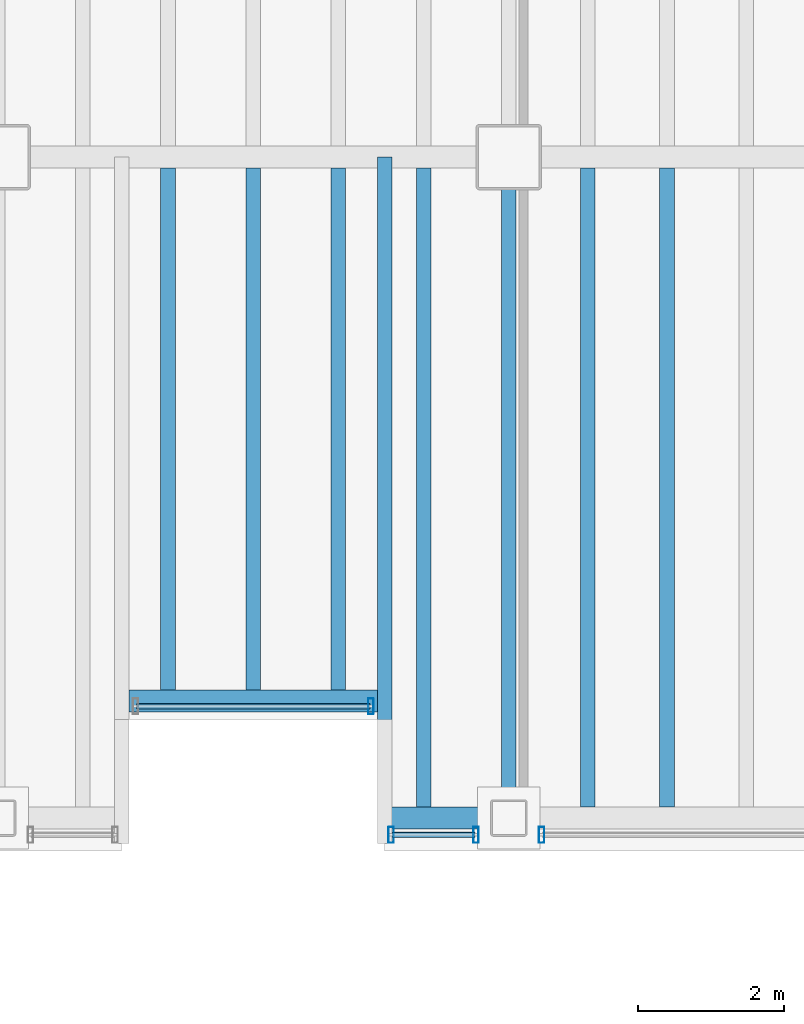
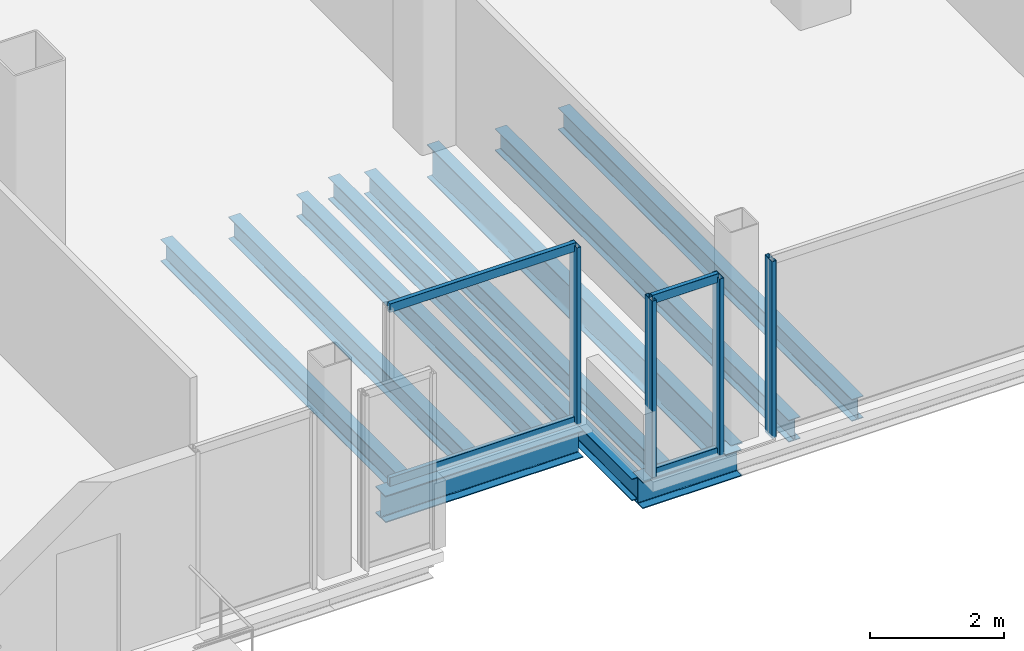
# One storey, part 5 of 20: 10 beams, 8 members, 3 elements without a shape of their own.
"""IFC4 building model written with IfcOpenShell, lengths in metres."""

from ifc_helpers import new_model, si_unit, direction, frame, origin, origin_2d, place, context, subcontext, project, spatial, hollow_rectangle, i_section, extrude, material, material_profile, profile_set, type_object, element, aggregate, save


model = new_model("IFC4")

# Units and contexts
model_context = context("Model", 3, precision=1e-05, world=origin(), true_north=direction((0.0, 1.0)))
body_context = subcontext(model_context, "Body", "Model", "MODEL_VIEW")
ifc_project = project(units=[si_unit("LENGTHUNIT", "METRE"), si_unit("AREAUNIT", "SQUARE_METRE"), si_unit("VOLUMEUNIT", "CUBIC_METRE"), si_unit("PLANEANGLEUNIT", "RADIAN"), si_unit("MASSUNIT", "GRAM", prefix="KILO")], contexts=[model_context])

# Site, building, storey
site_placement = place(None, origin())
site = spatial("IfcSite", under=ifc_project, at=site_placement, CompositionType="ELEMENT")
building_placement = place(site_placement, origin())
building = spatial("IfcBuilding", under=site, at=building_placement, Name="Noeulbin Bourse Tower", CompositionType="ELEMENT")
storey_placement = place(building_placement, frame((0.0, 0.0, 126.60009765625)))
storey = spatial("IfcBuildingStorey", under=building, at=storey_placement, Name="L31", CompositionType="ELEMENT", Elevation=126.60009765625)

# Beams
ifc_material_1 = material(Name="Steel S355", Category="steel")
ifc_material_profile_1 = material_profile(ifc_material_1, i_section(OverallWidth=0.199951171875, OverallDepth=0.60009765625, WebThickness=0.010986328125, FlangeThickness=0.01708984375, FilletRadius=0.02197265625, at=origin_2d()), Name="H-600x200x11x17", Category="LoadBearing")
ifc_profile_set_1 = profile_set([ifc_material_profile_1], Name="Steel S355")
beam_type_1 = type_object("IfcBeamType", Name="BM-GRD-600", PredefinedType="USERDEFINED", material=ifc_profile_set_1)
beam_1_placement = place(storey_placement, frame((31.0, 10.949951171875, -0.47998046875), z_axis=(0.0, 1.0, 0.0), x_axis=(-1.0, 0.0, 0.0)))
element("IfcBeam", 1, at=beam_1_placement, inside=storey, type_object=beam_type_1, Name="Tower Primary Girder NS L31-3.1", ObjectType="GIRDER", PredefinedType="USERDEFINED", context=body_context, shape_type="SweptSolid", body=[
    extrude(i_section(OverallWidth=0.199951171875, OverallDepth=0.60009765625, WebThickness=0.010986328125, FlangeThickness=0.01708984375, FilletRadius=0.02197265625, at=origin_2d()), origin(), (0.0, 0.0, 1.0), 9.050048828125),
])
ifc_material_profile_2 = material_profile(ifc_material_1, i_section(OverallWidth=0.199951171875, OverallDepth=0.39990234375, WebThickness=0.008056640625, FlangeThickness=0.012939453125, FilletRadius=0.01611328125, at=origin_2d()), Name="H-400x200x8x13", Category="LoadBearing")
ifc_profile_set_2 = profile_set([ifc_material_profile_2], Name="Steel S355")
beam_type_2 = type_object("IfcBeamType", Name="BM-SEC-400", PredefinedType="BEAM", material=ifc_profile_set_2)
beam_2_placement = place(storey_placement, frame((29.300048828125, 10.949951171875, -0.380126953125), z_axis=(0.0, 1.0, 0.0), x_axis=(-1.0, 0.0, 0.0)))
element("IfcBeam", 2, at=beam_2_placement, inside=storey, type_object=beam_type_2, Name="BM-L31-SRT-E", PredefinedType="BEAM", context=body_context, shape_type="SweptSolid", body=[
    extrude(i_section(OverallWidth=0.199951171875, OverallDepth=0.39990234375, WebThickness=0.008056640625, FlangeThickness=0.012939453125, FilletRadius=0.01611328125, at=origin_2d()), origin(), (0.0, 0.0, 1.0), 9.050048828125),
])
for number, where, z_axis, x_axis, name in (
    (3, (26.333251953125, 12.699951171875, -0.380126953125), (0.0, 1.0, 0.0), (-1.0, 0.0, 0.0), "Tower Composite Joist L31-19"),
    (4, (27.5, 12.699951171875, -0.380126953125), (0.0, 1.0, 0.0), (-1.0, 0.0, 0.0), "Tower Composite Joist L31-21"),
    (5, (28.666748046875, 12.699951171875, -0.380126953125), (0.0, 1.0, 0.0), (-1.0, 0.0, 0.0), "Tower Composite Joist L31-23"),
):
    element("IfcBeam", number, at=place(storey_placement, frame(where, z_axis=z_axis, x_axis=x_axis)), inside=storey, type_object=beam_type_2, Name=name, PredefinedType="BEAM", context=body_context, shape_type="SweptSolid", body=[
        extrude(i_section(OverallWidth=0.199951171875, OverallDepth=0.39990234375, WebThickness=0.008056640625, FlangeThickness=0.012939453125, FilletRadius=0.01611328125, at=origin_2d()), origin(), (0.0, 0.0, 1.0), 7.150146484375),
    ])
for number, where, z_axis, x_axis, name in (
    (6, (29.833251953125, 11.10009765625, -0.380126953125), (0.0, 1.0, 0.0), (-1.0, 0.0, 0.0), "Tower Composite Joist L31-25"),
    (7, (32.083251953125, 11.10009765625, -0.380126953125), (0.0, 1.0, 0.0), (-1.0, 0.0, 0.0), "Tower Composite Joist L31-27"),
    (8, (33.166748046875, 11.10009765625, -0.380126953125), (0.0, 1.0, 0.0), (-1.0, 0.0, 0.0), "Tower Composite Joist L31-29"),
):
    element("IfcBeam", number, at=place(storey_placement, frame(where, z_axis=z_axis, x_axis=x_axis)), inside=storey, type_object=beam_type_2, Name=name, PredefinedType="BEAM", context=body_context, shape_type="SweptSolid", body=[
        extrude(i_section(OverallWidth=0.199951171875, OverallDepth=0.39990234375, WebThickness=0.008056640625, FlangeThickness=0.012939453125, FilletRadius=0.01611328125, at=origin_2d()), origin(), (0.0, 0.0, 1.0), 8.75),
    ])
ifc_material_profile_3 = material_profile(ifc_material_1, i_section(OverallWidth=0.300048828125, OverallDepth=0.488037109375, WebThickness=0.010986328125, FlangeThickness=0.01806640625, FilletRadius=0.02197265625, at=origin_2d()), Name="H-488x300x11x18", Category="LoadBearing")
ifc_profile_set_3 = profile_set([ifc_material_profile_3], Name="Steel S355")
beam_type_3 = type_object("IfcBeamType", Name="BM-SPN-488", PredefinedType="SPANDREL", material=ifc_profile_set_3)
beam_3_placement = place(storey_placement, frame((25.800048828125, 12.550048828125, -0.424072265625), z_axis=(1.0, 0.0, 0.0), x_axis=(0.0, 1.0, 0.0)))
element("IfcBeam", 9, at=beam_3_placement, inside=storey, type_object=beam_type_3, Name="South Recess Spandrel L31-2B", PredefinedType="SPANDREL", context=body_context, shape_type="SweptSolid", body=[
    extrude(i_section(OverallWidth=0.300048828125, OverallDepth=0.488037109375, WebThickness=0.010986328125, FlangeThickness=0.01806640625, FilletRadius=0.02197265625, at=origin_2d()), origin(), (0.0, 0.0, 1.0), 3.39990234375),
])
beam_4_placement = place(storey_placement, frame((29.300048828125, 10.949951171875, -0.424072265625), z_axis=(1.0, 0.0, 0.0), x_axis=(0.0, 1.0, 0.0)))
element("IfcBeam", 10, at=beam_4_placement, inside=storey, type_object=beam_type_3, Name="South Spandrel L31-2C", PredefinedType="SPANDREL", context=body_context, shape_type="SweptSolid", body=[
    extrude(i_section(OverallWidth=0.300048828125, OverallDepth=0.488037109375, WebThickness=0.010986328125, FlangeThickness=0.01806640625, FilletRadius=0.02197265625, at=origin_2d()), origin(), (0.0, 0.0, 1.0), 1.699951171875),
])

# Curtain wall, member
ifc_material_2 = material(Name="Dark Tinted Triple Glazing", Category="glass")
curtain_wall_type = type_object("IfcCurtainWallType", Name="CW-SYS-3", PredefinedType="NOTDEFINED", material=ifc_material_2)
curtain_wall_1_placement = place(storey_placement, origin())
curtain_wall_1 = element("IfcCurtainWall", 11, at=curtain_wall_1_placement, inside=storey, type_object=curtain_wall_type, Name="Unitised Curtain Wall CW-L31-SREC", PredefinedType="NOTDEFINED")
ifc_material_3 = material(Name="Anodised Aluminium 6063-T6", Category="aluminium")
ifc_material_profile_4 = material_profile(ifc_material_3, hollow_rectangle(XDim=0.074951171875, YDim=0.219970703125, WallThickness=0.0048828125, InnerFilletRadius=0.00244140625, OuterFilletRadius=0.0048828125, at=origin_2d()), Name="ALU-MULL-75x220x5", Category="LoadBearing")
ifc_profile_set_4 = profile_set([ifc_material_profile_4], Name="Anodised Aluminium 6063-T6")
member_type_1 = type_object("IfcMemberType", Name="CW-SYS-3-MUL", PredefinedType="MULLION", material=ifc_profile_set_4)
member_1_placement = place(storey_placement, frame((29.110107421875, 12.47998046875, -0.02001953125), z_axis=(0.0, 0.0, 1.0), x_axis=(1.0, 0.0, 0.0)))
member_1 = element("IfcMember", 12, at=member_1_placement, type_object=member_type_1, Name="Curtain Wall Mullion CW-L31-SREC-M01", PredefinedType="MULLION", context=body_context, shape_type="SweptSolid", body=[
    extrude(hollow_rectangle(XDim=0.074951171875, YDim=0.219970703125, WallThickness=0.0048828125, InnerFilletRadius=0.00244140625, OuterFilletRadius=0.0048828125, at=origin_2d()), origin(), (0.0, 0.0, 1.0), 3.219970703125),
])

# Curtain wall, members
curtain_wall_2_placement = place(storey_placement, origin())
curtain_wall_2 = element("IfcCurtainWall", 13, at=curtain_wall_2_placement, inside=storey, type_object=curtain_wall_type, Name="Unitised Curtain Wall CW-L31-S3-S1", PredefinedType="NOTDEFINED")
member_2_placement = place(storey_placement, frame((29.389892578125, 10.719970703125, -0.02001953125), z_axis=(0.0, 0.0, 1.0), x_axis=(1.0, 0.0, 0.0)))
member_2 = element("IfcMember", 14, at=member_2_placement, type_object=member_type_1, Name="Curtain Wall Mullion CW-L31-S3-S1-M00", PredefinedType="MULLION", context=body_context, shape_type="SweptSolid", body=[
    extrude(hollow_rectangle(XDim=0.074951171875, YDim=0.219970703125, WallThickness=0.0048828125, InnerFilletRadius=0.00244140625, OuterFilletRadius=0.0048828125, at=origin_2d()), origin(), (0.0, 0.0, 1.0), 3.219970703125),
])
member_3_placement = place(storey_placement, frame((30.550048828125, 10.719970703125, -0.02001953125), z_axis=(0.0, 0.0, 1.0), x_axis=(1.0, 0.0, 0.0)))
member_3 = element("IfcMember", 15, at=member_3_placement, type_object=member_type_1, Name="Curtain Wall Mullion CW-L31-S3-S1-M01", PredefinedType="MULLION", context=body_context, shape_type="SweptSolid", body=[
    extrude(hollow_rectangle(XDim=0.074951171875, YDim=0.219970703125, WallThickness=0.0048828125, InnerFilletRadius=0.00244140625, OuterFilletRadius=0.0048828125, at=origin_2d()), origin(), (0.0, 0.0, 1.0), 3.219970703125),
])

# Curtain wall, member
curtain_wall_3_placement = place(storey_placement, origin())
curtain_wall_3 = element("IfcCurtainWall", 16, at=curtain_wall_3_placement, inside=storey, type_object=curtain_wall_type, Name="Unitised Curtain Wall CW-L31-S3-S2", PredefinedType="NOTDEFINED")
member_4_placement = place(storey_placement, frame((31.449951171875, 10.719970703125, -0.02001953125), z_axis=(0.0, 0.0, 1.0), x_axis=(1.0, 0.0, 0.0)))
member_4 = element("IfcMember", 17, at=member_4_placement, type_object=member_type_1, Name="Curtain Wall Mullion CW-L31-S3-S2-M00", PredefinedType="MULLION", context=body_context, shape_type="SweptSolid", body=[
    extrude(hollow_rectangle(XDim=0.074951171875, YDim=0.219970703125, WallThickness=0.0048828125, InnerFilletRadius=0.00244140625, OuterFilletRadius=0.0048828125, at=origin_2d()), origin(), (0.0, 0.0, 1.0), 3.219970703125),
])
aggregate(curtain_wall_3, [member_4])

# Member
ifc_material_profile_5 = material_profile(ifc_material_3, hollow_rectangle(XDim=0.074951171875, YDim=0.159912109375, WallThickness=0.0048828125, InnerFilletRadius=0.00244140625, OuterFilletRadius=0.0048828125, at=origin_2d()), Name="ALU-TRAN-75x160x5", Category="LoadBearing")
ifc_profile_set_5 = profile_set([ifc_material_profile_5], Name="Anodised Aluminium 6063-T6")
member_type_2 = type_object("IfcMemberType", Name="CW-SYS-3-TRN", PredefinedType="USERDEFINED", material=ifc_profile_set_5)
member_5_placement = place(storey_placement, frame((25.89990234375, 12.47998046875, 0.010009765625), z_axis=(1.0, 0.0, 0.0), x_axis=(0.0, 1.0, 0.0)))
member_5 = element("IfcMember", 18, at=member_5_placement, type_object=member_type_2, Name="Curtain Wall Transom CW-L31-SREC-T00", ObjectType="TRANSOM", PredefinedType="USERDEFINED", context=body_context, shape_type="SweptSolid", body=[
    extrude(hollow_rectangle(XDim=0.074951171875, YDim=0.159912109375, WallThickness=0.0048828125, InnerFilletRadius=0.00244140625, OuterFilletRadius=0.0048828125, at=origin_2d()), origin(), (0.0, 0.0, 1.0), 3.2001953125),
])

member_6_placement = place(storey_placement, frame((25.89990234375, 12.47998046875, 3.169921875), z_axis=(1.0, 0.0, 0.0), x_axis=(0.0, 1.0, 0.0)))
member_6 = element("IfcMember", 19, at=member_6_placement, type_object=member_type_2, Name="Curtain Wall Transom CW-L31-SREC-T01", ObjectType="TRANSOM", PredefinedType="USERDEFINED", context=body_context, shape_type="SweptSolid", body=[
    extrude(hollow_rectangle(XDim=0.074951171875, YDim=0.159912109375, WallThickness=0.0048828125, InnerFilletRadius=0.00244140625, OuterFilletRadius=0.0048828125, at=origin_2d()), origin(), (0.0, 0.0, 1.0), 3.2001953125),
])

aggregate(curtain_wall_1, [member_1, member_5, member_6])

member_7_placement = place(storey_placement, frame((29.39990234375, 10.719970703125, 0.010009765625), z_axis=(1.0, 0.0, 0.0), x_axis=(0.0, 1.0, 0.0)))
member_7 = element("IfcMember", 20, at=member_7_placement, type_object=member_type_2, Name="Curtain Wall Transom CW-L31-S3-S1-T00", ObjectType="TRANSOM", PredefinedType="USERDEFINED", context=body_context, shape_type="SweptSolid", body=[
    extrude(hollow_rectangle(XDim=0.074951171875, YDim=0.159912109375, WallThickness=0.0048828125, InnerFilletRadius=0.00244140625, OuterFilletRadius=0.0048828125, at=origin_2d()), origin(), (0.0, 0.0, 1.0), 1.14013671875),
])

member_8_placement = place(storey_placement, frame((29.39990234375, 10.719970703125, 3.169921875), z_axis=(1.0, 0.0, 0.0), x_axis=(0.0, 1.0, 0.0)))
member_8 = element("IfcMember", 21, at=member_8_placement, type_object=member_type_2, Name="Curtain Wall Transom CW-L31-S3-S1-T01", ObjectType="TRANSOM", PredefinedType="USERDEFINED", context=body_context, shape_type="SweptSolid", body=[
    extrude(hollow_rectangle(XDim=0.074951171875, YDim=0.159912109375, WallThickness=0.0048828125, InnerFilletRadius=0.00244140625, OuterFilletRadius=0.0048828125, at=origin_2d()), origin(), (0.0, 0.0, 1.0), 1.14013671875),
])

aggregate(curtain_wall_2, [member_2, member_3, member_7, member_8])

save(model, "model.ifc")
